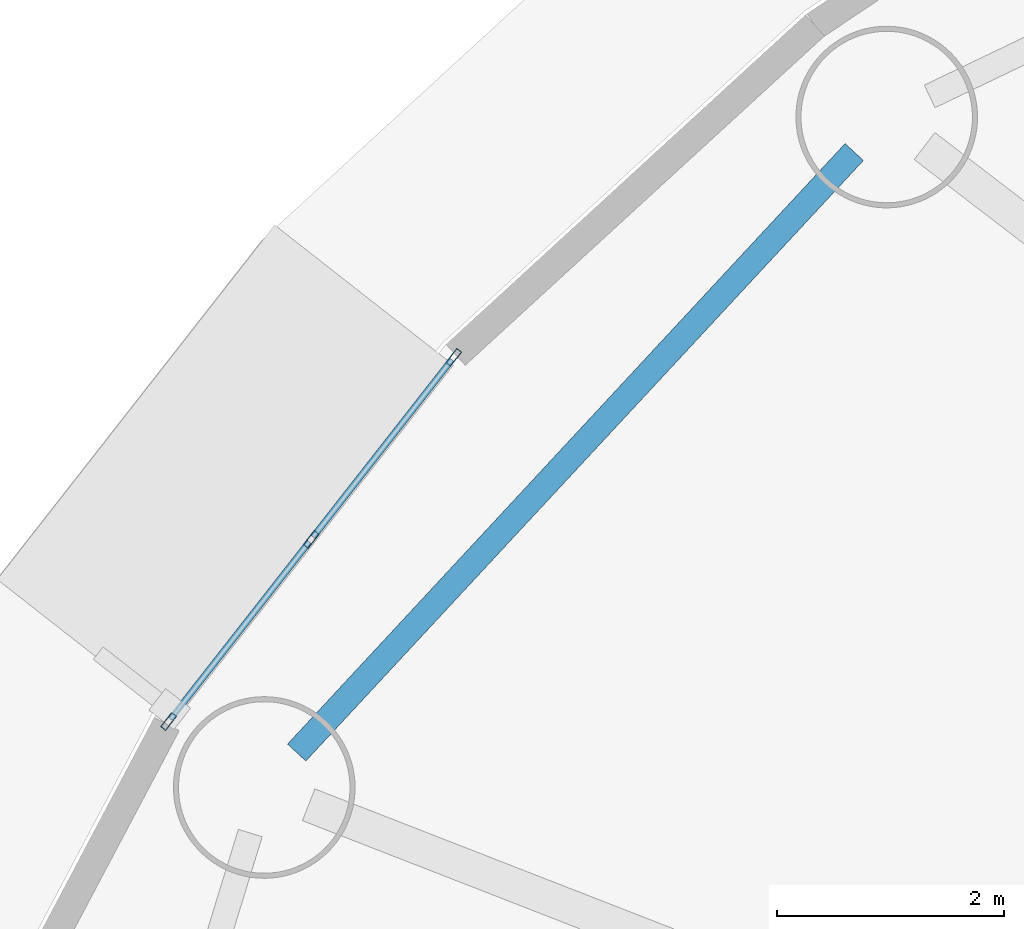
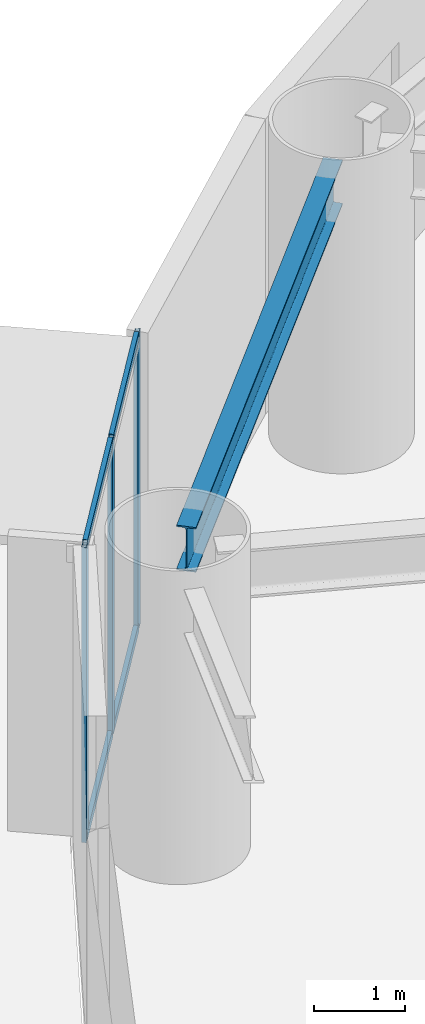
# One storey, part 10 of 35: 7 members, 1 beam, 1 element without a shape of its own.
"""IFC4 building model written with IfcOpenShell, lengths in metres."""

from ifc_helpers import new_model, si_unit, direction, frame, origin, origin_2d, place, context, subcontext, project, spatial, hollow_rectangle, i_section, extrude, source, transform, mapped, material, layer, layer_set, material_profile, profile_set, type_object, element, aggregate, save


model = new_model("IFC4")

# Units and contexts
model_context = context("Model", 3, precision=1e-05, world=origin(), true_north=direction((0.0, 1.0)))
body_context = subcontext(model_context, "Body", "Model", "MODEL_VIEW")
ifc_project = project(units=[si_unit("LENGTHUNIT", "METRE"), si_unit("AREAUNIT", "SQUARE_METRE"), si_unit("VOLUMEUNIT", "CUBIC_METRE"), si_unit("PLANEANGLEUNIT", "RADIAN"), si_unit("MASSUNIT", "GRAM", prefix="KILO")], contexts=[model_context])

# Site, building, storey
site_placement = place(None, origin())
site = spatial("IfcSite", under=ifc_project, at=site_placement, CompositionType="ELEMENT")
building_placement = place(site_placement, origin())
building = spatial("IfcBuilding", under=site, at=building_placement, Name="Linh Dai School and Residence Tower", CompositionType="ELEMENT")
storey_placement = place(building_placement, frame((0.0, 0.0, 32.39990234375)))
storey = spatial("IfcBuildingStorey", under=building, at=storey_placement, Name="L07", CompositionType="ELEMENT", Elevation=32.39990234375)

# Beam
ifc_material_1 = material(Name="Structural Steel S355JR", Category="steel")
ifc_material_profile_1 = material_profile(ifc_material_1, i_section(OverallWidth=0.219970703125, OverallDepth=0.60009765625, WebThickness=0.011962890625, FlangeThickness=0.01904296875, FilletRadius=0.02392578125, at=origin_2d()), Name="IPE 600")
ifc_profile_set_1 = profile_set([ifc_material_profile_1], Name="Structural Steel S355JR")
beam_type = type_object("IfcBeamType", Name="BM-RB60", PredefinedType="BEAM", material=ifc_profile_set_1)
beam_placement = place(storey_placement, frame((14.361572265625, 43.061279296875, 3.650146484375), z_axis=(-0.680408287194, -0.732833243458, 0.0), x_axis=(0.732833243458, -0.680408287194, 0.0)))
element("IfcBeam", 1, at=beam_placement, inside=storey, type_object=beam_type, Name="L07 Perimeter Elliptical Ring Beam 07", PredefinedType="BEAM", context=body_context, shape_type="SweptSolid", body=[
    extrude(i_section(OverallWidth=0.219970703125, OverallDepth=0.60009765625, WebThickness=0.011962890625, FlangeThickness=0.01904296875, FilletRadius=0.02392578125, at=origin_2d()), origin(), (0.0, 0.0, 1.0), 7.21826171875),
])

# Curtain wall, members
ifc_material_2 = material(Name="Aluminium Anodised Curtain Wall", Category="aluminium")
ifc_layer = layer(ifc_material_2, 0.159912109375)
ifc_layer_set = layer_set([ifc_layer], Name="Aluminium Anodised Curtain Wall")
curtain_wall_type = type_object("IfcCurtainWallType", Name="CW-SYS-3", PredefinedType="USERDEFINED", material=ifc_layer_set)
curtain_wall_placement = place(storey_placement, origin())
curtain_wall = element("IfcCurtainWall", 2, at=curtain_wall_placement, inside=storey, type_object=curtain_wall_type, Name="L07 CW3 Curtain Wall 17", ObjectType="RIBBON CURTAIN WALL", PredefinedType="USERDEFINED")
ifc_material_3 = material(Name="Aluminium Alloy 6063-T6", Category="aluminium")
ifc_material_profile_2 = material_profile(ifc_material_3, hollow_rectangle(XDim=0.054931640625, YDim=0.159912109375, WallThickness=0.00390625, at=origin_2d()), Name="RHS 160x55x4")
ifc_profile_set_2 = profile_set([ifc_material_profile_2], Name="Aluminium Alloy 6063-T6")
member_type_1 = type_object("IfcMemberType", Name="CW-SYS-3-MUL", PredefinedType="MULLION", material=ifc_profile_set_2)
shared_shape_1 = source(origin(), body_context, "Body", "SweptSolid", [
    extrude(hollow_rectangle(XDim=0.054931640625, YDim=0.159912109375, WallThickness=0.00390625, at=origin_2d()), origin(), (0.0, 0.0, 1.0), 3.9501953125),
])
member_1_placement = place(storey_placement, frame((8.322265625, 38.04443359375, 0.0), z_axis=(0.0, 0.0, 1.0), x_axis=(-0.787496262172, 0.616319427785, 0.0)))
member_1 = element("IfcMember", 3, at=member_1_placement, type_object=member_type_1, Name="CW3 mullion 1", PredefinedType="MULLION", context=body_context, shape_type="MappedRepresentation", body=[
    mapped(shared_shape_1, transform((0.0, 0.0, 0.0), x_axis=(1.0, 0.0, 0.0), y_axis=(0.0, 1.0, 0.0), z_axis=(0.0, 0.0, 1.0), scale=1.0)),
])
member_2_placement = place(storey_placement, frame((9.577880859375, 39.648681640625, 0.0), z_axis=(0.0, 0.0, 1.0), x_axis=(-0.787496262172, 0.616319427785, 0.0)))
member_2 = element("IfcMember", 4, at=member_2_placement, type_object=member_type_1, Name="CW3 mullion 2", PredefinedType="MULLION", context=body_context, shape_type="MappedRepresentation", body=[
    mapped(shared_shape_1, transform((0.0, 0.0, 0.0), x_axis=(1.0, 0.0, 0.0), y_axis=(0.0, 1.0, 0.0), z_axis=(0.0, 0.0, 1.0), scale=1.0)),
])
member_3_placement = place(storey_placement, frame((10.833251953125, 41.2529296875, 0.0), z_axis=(0.0, 0.0, 1.0), x_axis=(-0.787496262172, 0.616319427785, 0.0)))
member_3 = element("IfcMember", 5, at=member_3_placement, type_object=member_type_1, Name="CW3 mullion 3", PredefinedType="MULLION", context=body_context, shape_type="MappedRepresentation", body=[
    mapped(shared_shape_1, transform((0.0, 0.0, 0.0), x_axis=(1.0, 0.0, 0.0), y_axis=(0.0, 1.0, 0.0), z_axis=(0.0, 0.0, 1.0), scale=1.0)),
])
ifc_material_profile_3 = material_profile(ifc_material_3, hollow_rectangle(XDim=0.054931640625, YDim=0.1201171875, WallThickness=0.00390625, at=origin_2d()), Name="RHS 120x55x4")
ifc_profile_set_3 = profile_set([ifc_material_profile_3], Name="Aluminium Alloy 6063-T6")
member_type_2 = type_object("IfcMemberType", Name="CW-SYS-3-TRN", PredefinedType="USERDEFINED", material=ifc_profile_set_3)
shared_shape_2 = source(origin(), body_context, "Body", "SweptSolid", [
    extrude(hollow_rectangle(XDim=0.054931640625, YDim=0.1201171875, WallThickness=0.00390625, at=origin_2d()), origin(), (0.0, 0.0, 1.0), 1.98193359375),
])
member_4_placement = place(storey_placement, frame((8.33935546875, 38.066162109375, 0.027587890625), z_axis=(0.616291654008, 0.787517998016, 0.0), x_axis=(-0.787517998016, 0.616291654008, 0.0)))
member_4 = element("IfcMember", 6, at=member_4_placement, type_object=member_type_2, Name="CW3 transom 1.1", ObjectType="TRANSOM", PredefinedType="USERDEFINED", context=body_context, shape_type="MappedRepresentation", body=[
    mapped(shared_shape_2, transform((0.0, 0.0, 0.0), x_axis=(1.0, 0.0, 0.0), y_axis=(0.0, 1.0, 0.0), z_axis=(0.0, 0.0, 1.0), scale=1.0)),
])
member_5_placement = place(storey_placement, frame((8.33935546875, 38.066162109375, 3.922607421875), z_axis=(0.616291654008, 0.787517998016, 0.0), x_axis=(-0.787517998016, 0.616291654008, 0.0)))
member_5 = element("IfcMember", 7, at=member_5_placement, type_object=member_type_2, Name="CW3 transom 1.2", ObjectType="TRANSOM", PredefinedType="USERDEFINED", context=body_context, shape_type="MappedRepresentation", body=[
    mapped(shared_shape_2, transform((0.0, 0.0, 0.0), x_axis=(1.0, 0.0, 0.0), y_axis=(0.0, 1.0, 0.0), z_axis=(0.0, 0.0, 1.0), scale=1.0)),
])
shared_shape_3 = source(origin(), body_context, "Body", "SweptSolid", [
    extrude(hollow_rectangle(XDim=0.054931640625, YDim=0.1201171875, WallThickness=0.00390625, at=origin_2d()), origin(), (0.0, 0.0, 1.0), 1.982177734375),
])
member_6_placement = place(storey_placement, frame((9.5947265625, 39.67041015625, 0.027587890625), z_axis=(0.616368042389, 0.787458212429, 0.0), x_axis=(-0.787458212429, 0.616368042389, 0.0)))
member_6 = element("IfcMember", 8, at=member_6_placement, type_object=member_type_2, Name="CW3 transom 2.1", ObjectType="TRANSOM", PredefinedType="USERDEFINED", context=body_context, shape_type="MappedRepresentation", body=[
    mapped(shared_shape_3, transform((0.0, 0.0, 0.0), x_axis=(1.0, 0.0, 0.0), y_axis=(0.0, 1.0, 0.0), z_axis=(0.0, 0.0, 1.0), scale=1.0)),
])
member_7_placement = place(storey_placement, frame((9.5947265625, 39.67041015625, 3.922607421875), z_axis=(0.616368042389, 0.787458212429, 0.0), x_axis=(-0.787458212429, 0.616368042389, 0.0)))
member_7 = element("IfcMember", 9, at=member_7_placement, type_object=member_type_2, Name="CW3 transom 2.2", ObjectType="TRANSOM", PredefinedType="USERDEFINED", context=body_context, shape_type="MappedRepresentation", body=[
    mapped(shared_shape_3, transform((0.0, 0.0, 0.0), x_axis=(1.0, 0.0, 0.0), y_axis=(0.0, 1.0, 0.0), z_axis=(0.0, 0.0, 1.0), scale=1.0)),
])
aggregate(curtain_wall, [member_1, member_2, member_3, member_4, member_5, member_6, member_7])

save(model, "model.ifc")
